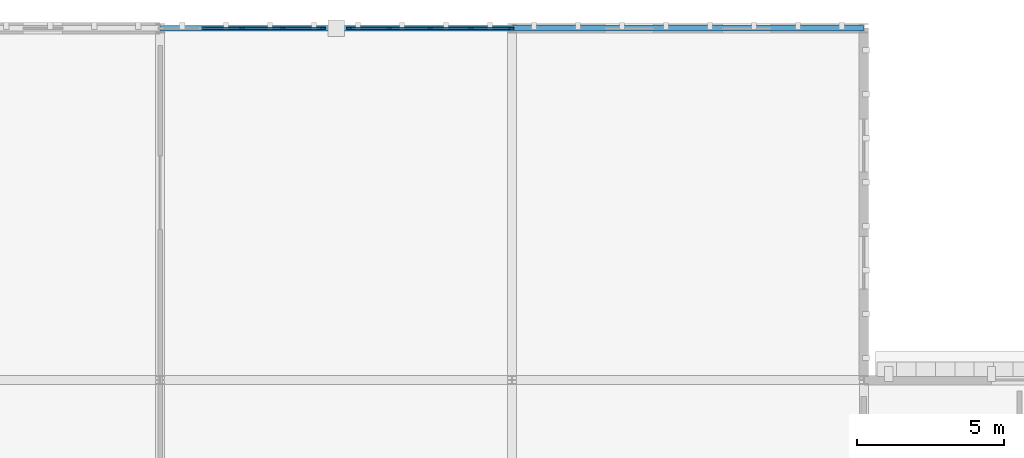
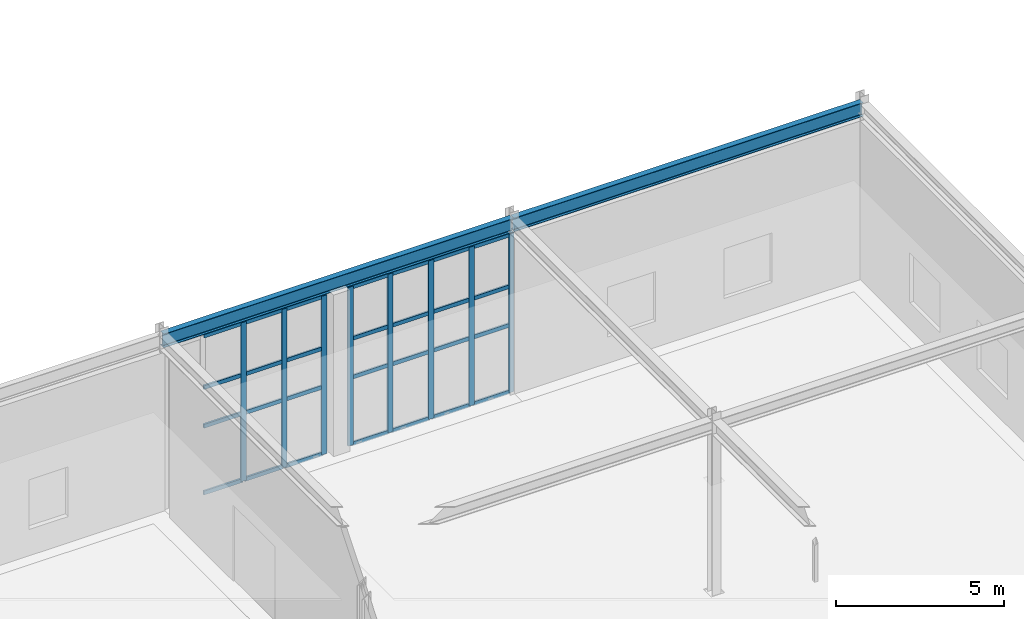
# One storey, part 25 of 62: 36 members, 2 beams, 2 elements without a shape of their own.
"""IFC4 building model written with IfcOpenShell, lengths in metres."""

from ifc_helpers import new_model, si_unit, direction, frame, origin, origin_2d, place, context, subcontext, project, spatial, rectangle, i_section, extrude, material, layer, layer_set, material_profile, profile_set, type_object, element, aggregate, save


model = new_model("IFC4")

# Units and contexts
model_context = context("Model", 3, precision=1e-05, world=origin(), true_north=direction((0.0, 1.0)))
body_context = subcontext(model_context, "Body", "Model", "MODEL_VIEW")
ifc_project = project(units=[si_unit("LENGTHUNIT", "METRE"), si_unit("AREAUNIT", "SQUARE_METRE"), si_unit("VOLUMEUNIT", "CUBIC_METRE"), si_unit("PLANEANGLEUNIT", "RADIAN"), si_unit("MASSUNIT", "GRAM", prefix="KILO")], contexts=[model_context])

# Site, building, storey
site_placement = place(None, origin())
site = spatial("IfcSite", under=ifc_project, at=site_placement, CompositionType="ELEMENT")
building_placement = place(site_placement, origin())
building = spatial("IfcBuilding", under=site, at=building_placement, Name="Zlatogorsky Bluff Art Gallery", CompositionType="ELEMENT")
storey_placement = place(building_placement, frame((0.0, 0.0, 16.800048828125)))
storey = spatial("IfcBuildingStorey", under=building, at=storey_placement, Name="L03", CompositionType="ELEMENT", Elevation=16.800048828125)

# Beams
ifc_material_1 = material(Name="Steel S355", Category="steel")
ifc_material_profile_1 = material_profile(ifc_material_1, i_section(OverallWidth=0.199951171875, OverallDepth=0.5, WebThickness=0.01025390625, FlangeThickness=0.01611328125, FilletRadius=0.02099609375, at=origin_2d()), Name="IPE 500")
ifc_profile_set_1 = profile_set([ifc_material_profile_1], Name="Steel S355")
beam_type = type_object("IfcBeamType", Name="Beam SP-01 IPE 500", PredefinedType="SPANDREL", material=ifc_profile_set_1)
for number, where, z_axis, x_axis, name in (
    (1, (96.014892578125, 120.0, 6.079833984375), (1.0, 0.0, 0.0), (0.0, 1.0, 0.0), "Primary girder SP-01 L03 J-K/12"),
    (2, (108.014892578125, 120.0, 6.079833984375), (1.0, 0.0, 0.0), (0.0, 1.0, 0.0), "Primary girder SP-01 L03 K-L/12"),
):
    element("IfcBeam", number, at=place(storey_placement, frame(where, z_axis=z_axis, x_axis=x_axis)), inside=storey, type_object=beam_type, Name=name, PredefinedType="SPANDREL", context=body_context, shape_type="SweptSolid", body=[
        extrude(i_section(OverallWidth=0.199951171875, OverallDepth=0.5, WebThickness=0.01025390625, FlangeThickness=0.01611328125, FilletRadius=0.02099609375, at=origin_2d()), origin(), (0.0, 0.0, 1.0), 11.97021484375),
    ])

# Curtain wall, members
ifc_material_2 = material(Name="Anodised Bronze Aluminium and Low-Iron Triple Glazing", Category="aluminium")
ifc_layer = layer(ifc_material_2, 0.199951171875)
ifc_layer_set = layer_set([ifc_layer], Name="Curtain Wall CW-02")
curtain_wall_type = type_object("IfcCurtainWallType", Name="Curtain Wall CW-02", PredefinedType="USERDEFINED", material=ifc_layer_set)
curtain_wall_1_placement = place(storey_placement, origin())
curtain_wall_1 = element("IfcCurtainWall", 3, at=curtain_wall_1_placement, inside=storey, type_object=curtain_wall_type, Name="Unitised curtain wall CW-02 L03 N 8.10-A", ObjectType="CURTAIN WALL", PredefinedType="USERDEFINED")
ifc_material_3 = material(Name="Anodised Bronze Aluminium", Category="aluminium")
ifc_material_profile_2 = material_profile(ifc_material_3, rectangle(XDim=0.06494140625, YDim=0.179931640625, at=origin_2d()), Name="ALU MULLION 65x180")
ifc_profile_set_2 = profile_set([ifc_material_profile_2], Name="Anodised Bronze Aluminium")
member_type_1 = type_object("IfcMemberType", Name="Curtain Mullion ML-01", PredefinedType="MULLION", material=ifc_profile_set_2)
member_1_placement = place(storey_placement, frame((107.967529296875, 120.0, 0.0), z_axis=(0.0, 0.0, 1.0), x_axis=(0.0, -1.0, 0.0)))
member_1 = element("IfcMember", 4, at=member_1_placement, type_object=member_type_1, Name="CW-02 mullion 1", PredefinedType="MULLION", context=body_context, shape_type="SweptSolid", body=[
    extrude(rectangle(XDim=0.06494140625, YDim=0.179931640625, at=origin_2d()), origin(), (0.0, 0.0, 1.0), 5.75),
])
member_2_placement = place(storey_placement, frame((106.60498046875, 120.0, 0.0), z_axis=(0.0, 0.0, 1.0), x_axis=(0.0, -1.0, 0.0)))
member_2 = element("IfcMember", 5, at=member_2_placement, type_object=member_type_1, Name="CW-02 mullion 2", PredefinedType="MULLION", context=body_context, shape_type="SweptSolid", body=[
    extrude(rectangle(XDim=0.06494140625, YDim=0.179931640625, at=origin_2d()), origin(), (0.0, 0.0, 1.0), 5.75),
])
member_3_placement = place(storey_placement, frame((105.2099609375, 120.0, 0.0), z_axis=(0.0, 0.0, 1.0), x_axis=(0.0, -1.0, 0.0)))
member_3 = element("IfcMember", 6, at=member_3_placement, type_object=member_type_1, Name="CW-02 mullion 3", PredefinedType="MULLION", context=body_context, shape_type="SweptSolid", body=[
    extrude(rectangle(XDim=0.06494140625, YDim=0.179931640625, at=origin_2d()), origin(), (0.0, 0.0, 1.0), 5.75),
])
member_4_placement = place(storey_placement, frame((103.81494140625, 120.0, 0.0), z_axis=(0.0, 0.0, 1.0), x_axis=(0.0, -1.0, 0.0)))
member_4 = element("IfcMember", 7, at=member_4_placement, type_object=member_type_1, Name="CW-02 mullion 4", PredefinedType="MULLION", context=body_context, shape_type="SweptSolid", body=[
    extrude(rectangle(XDim=0.06494140625, YDim=0.179931640625, at=origin_2d()), origin(), (0.0, 0.0, 1.0), 5.75),
])
member_5_placement = place(storey_placement, frame((102.452392578125, 120.0, 0.0), z_axis=(0.0, 0.0, 1.0), x_axis=(0.0, -1.0, 0.0)))
member_5 = element("IfcMember", 8, at=member_5_placement, type_object=member_type_1, Name="CW-02 mullion 5", PredefinedType="MULLION", context=body_context, shape_type="SweptSolid", body=[
    extrude(rectangle(XDim=0.06494140625, YDim=0.179931640625, at=origin_2d()), origin(), (0.0, 0.0, 1.0), 5.75),
])

curtain_wall_2_placement = place(storey_placement, origin())
curtain_wall_2 = element("IfcCurtainWall", 9, at=curtain_wall_2_placement, inside=storey, type_object=curtain_wall_type, Name="Unitised curtain wall CW-02 L03 N 8.10-B", ObjectType="CURTAIN WALL", PredefinedType="USERDEFINED")
member_6_placement = place(storey_placement, frame((101.547607421875, 120.0, 0.0), z_axis=(0.0, 0.0, 1.0), x_axis=(0.0, -1.0, 0.0)))
member_6 = element("IfcMember", 10, at=member_6_placement, type_object=member_type_1, Name="CW-02 mullion 1", PredefinedType="MULLION", context=body_context, shape_type="SweptSolid", body=[
    extrude(rectangle(XDim=0.06494140625, YDim=0.179931640625, at=origin_2d()), origin(), (0.0, 0.0, 1.0), 5.75),
])
member_7_placement = place(storey_placement, frame((100.18505859375, 120.0, 0.0), z_axis=(0.0, 0.0, 1.0), x_axis=(0.0, -1.0, 0.0)))
member_7 = element("IfcMember", 11, at=member_7_placement, type_object=member_type_1, Name="CW-02 mullion 2", PredefinedType="MULLION", context=body_context, shape_type="SweptSolid", body=[
    extrude(rectangle(XDim=0.06494140625, YDim=0.179931640625, at=origin_2d()), origin(), (0.0, 0.0, 1.0), 5.75),
])
member_8_placement = place(storey_placement, frame((98.7900390625, 120.0, 0.0), z_axis=(0.0, 0.0, 1.0), x_axis=(0.0, -1.0, 0.0)))
member_8 = element("IfcMember", 12, at=member_8_placement, type_object=member_type_1, Name="CW-02 mullion 3", PredefinedType="MULLION", context=body_context, shape_type="SweptSolid", body=[
    extrude(rectangle(XDim=0.06494140625, YDim=0.179931640625, at=origin_2d()), origin(), (0.0, 0.0, 1.0), 5.75),
])

# Member
ifc_material_profile_3 = material_profile(ifc_material_3, rectangle(XDim=0.06494140625, YDim=0.139892578125, at=origin_2d()), Name="ALU TRANSOM 65x140")
ifc_profile_set_3 = profile_set([ifc_material_profile_3], Name="Anodised Bronze Aluminium")
member_type_2 = type_object("IfcMemberType", Name="Curtain Transom TR-01", PredefinedType="USERDEFINED", material=ifc_profile_set_3)
member_9_placement = place(storey_placement, frame((107.93505859375, 120.0, 0.032470703125), z_axis=(-1.0, 0.0, 0.0), x_axis=(0.0, -1.0, 0.0)))
member_9 = element("IfcMember", 13, at=member_9_placement, type_object=member_type_2, Name="CW-02 transom 1.1", ObjectType="TRANSOM", PredefinedType="USERDEFINED", context=body_context, shape_type="SweptSolid", body=[
    extrude(rectangle(XDim=0.06494140625, YDim=0.139892578125, at=origin_2d()), origin(), (0.0, 0.0, 1.0), 1.297607421875),
])

member_10_placement = place(storey_placement, frame((107.93505859375, 120.0, 2.449951171875), z_axis=(-1.0, 0.0, 0.0), x_axis=(0.0, -1.0, 0.0)))
member_10 = element("IfcMember", 14, at=member_10_placement, type_object=member_type_2, Name="CW-02 transom 1.2", ObjectType="TRANSOM", PredefinedType="USERDEFINED", context=body_context, shape_type="SweptSolid", body=[
    extrude(rectangle(XDim=0.06494140625, YDim=0.139892578125, at=origin_2d()), origin(), (0.0, 0.0, 1.0), 1.297607421875),
])

member_11_placement = place(storey_placement, frame((107.93505859375, 120.0, 3.849853515625), z_axis=(-1.0, 0.0, 0.0), x_axis=(0.0, -1.0, 0.0)))
member_11 = element("IfcMember", 15, at=member_11_placement, type_object=member_type_2, Name="CW-02 transom 1.3", ObjectType="TRANSOM", PredefinedType="USERDEFINED", context=body_context, shape_type="SweptSolid", body=[
    extrude(rectangle(XDim=0.06494140625, YDim=0.139892578125, at=origin_2d()), origin(), (0.0, 0.0, 1.0), 1.297607421875),
])

member_12_placement = place(storey_placement, frame((107.93505859375, 120.0, 5.717529296875), z_axis=(-1.0, 0.0, 0.0), x_axis=(0.0, -1.0, 0.0)))
member_12 = element("IfcMember", 16, at=member_12_placement, type_object=member_type_2, Name="CW-02 transom 1.4", ObjectType="TRANSOM", PredefinedType="USERDEFINED", context=body_context, shape_type="SweptSolid", body=[
    extrude(rectangle(XDim=0.06494140625, YDim=0.139892578125, at=origin_2d()), origin(), (0.0, 0.0, 1.0), 1.297607421875),
])

member_13_placement = place(storey_placement, frame((106.572509765625, 120.0, 0.032470703125), z_axis=(-1.0, 0.0, 0.0), x_axis=(0.0, -1.0, 0.0)))
member_13 = element("IfcMember", 17, at=member_13_placement, type_object=member_type_2, Name="CW-02 transom 2.1", ObjectType="TRANSOM", PredefinedType="USERDEFINED", context=body_context, shape_type="SweptSolid", body=[
    extrude(rectangle(XDim=0.06494140625, YDim=0.139892578125, at=origin_2d()), origin(), (0.0, 0.0, 1.0), 1.330078125),
])

member_14_placement = place(storey_placement, frame((106.572509765625, 120.0, 2.449951171875), z_axis=(-1.0, 0.0, 0.0), x_axis=(0.0, -1.0, 0.0)))
member_14 = element("IfcMember", 18, at=member_14_placement, type_object=member_type_2, Name="CW-02 transom 2.2", ObjectType="TRANSOM", PredefinedType="USERDEFINED", context=body_context, shape_type="SweptSolid", body=[
    extrude(rectangle(XDim=0.06494140625, YDim=0.139892578125, at=origin_2d()), origin(), (0.0, 0.0, 1.0), 1.330078125),
])

member_15_placement = place(storey_placement, frame((106.572509765625, 120.0, 3.849853515625), z_axis=(-1.0, 0.0, 0.0), x_axis=(0.0, -1.0, 0.0)))
member_15 = element("IfcMember", 19, at=member_15_placement, type_object=member_type_2, Name="CW-02 transom 2.3", ObjectType="TRANSOM", PredefinedType="USERDEFINED", context=body_context, shape_type="SweptSolid", body=[
    extrude(rectangle(XDim=0.06494140625, YDim=0.139892578125, at=origin_2d()), origin(), (0.0, 0.0, 1.0), 1.330078125),
])

member_16_placement = place(storey_placement, frame((106.572509765625, 120.0, 5.717529296875), z_axis=(-1.0, 0.0, 0.0), x_axis=(0.0, -1.0, 0.0)))
member_16 = element("IfcMember", 20, at=member_16_placement, type_object=member_type_2, Name="CW-02 transom 2.4", ObjectType="TRANSOM", PredefinedType="USERDEFINED", context=body_context, shape_type="SweptSolid", body=[
    extrude(rectangle(XDim=0.06494140625, YDim=0.139892578125, at=origin_2d()), origin(), (0.0, 0.0, 1.0), 1.330078125),
])

member_17_placement = place(storey_placement, frame((105.177490234375, 120.0, 0.032470703125), z_axis=(-1.0, 0.0, 0.0), x_axis=(0.0, -1.0, 0.0)))
member_17 = element("IfcMember", 21, at=member_17_placement, type_object=member_type_2, Name="CW-02 transom 3.1", ObjectType="TRANSOM", PredefinedType="USERDEFINED", context=body_context, shape_type="SweptSolid", body=[
    extrude(rectangle(XDim=0.06494140625, YDim=0.139892578125, at=origin_2d()), origin(), (0.0, 0.0, 1.0), 1.330078125),
])

member_18_placement = place(storey_placement, frame((105.177490234375, 120.0, 2.449951171875), z_axis=(-1.0, 0.0, 0.0), x_axis=(0.0, -1.0, 0.0)))
member_18 = element("IfcMember", 22, at=member_18_placement, type_object=member_type_2, Name="CW-02 transom 3.2", ObjectType="TRANSOM", PredefinedType="USERDEFINED", context=body_context, shape_type="SweptSolid", body=[
    extrude(rectangle(XDim=0.06494140625, YDim=0.139892578125, at=origin_2d()), origin(), (0.0, 0.0, 1.0), 1.330078125),
])

member_19_placement = place(storey_placement, frame((105.177490234375, 120.0, 3.849853515625), z_axis=(-1.0, 0.0, 0.0), x_axis=(0.0, -1.0, 0.0)))
member_19 = element("IfcMember", 23, at=member_19_placement, type_object=member_type_2, Name="CW-02 transom 3.3", ObjectType="TRANSOM", PredefinedType="USERDEFINED", context=body_context, shape_type="SweptSolid", body=[
    extrude(rectangle(XDim=0.06494140625, YDim=0.139892578125, at=origin_2d()), origin(), (0.0, 0.0, 1.0), 1.330078125),
])

member_20_placement = place(storey_placement, frame((105.177490234375, 120.0, 5.717529296875), z_axis=(-1.0, 0.0, 0.0), x_axis=(0.0, -1.0, 0.0)))
member_20 = element("IfcMember", 24, at=member_20_placement, type_object=member_type_2, Name="CW-02 transom 3.4", ObjectType="TRANSOM", PredefinedType="USERDEFINED", context=body_context, shape_type="SweptSolid", body=[
    extrude(rectangle(XDim=0.06494140625, YDim=0.139892578125, at=origin_2d()), origin(), (0.0, 0.0, 1.0), 1.330078125),
])

member_21_placement = place(storey_placement, frame((103.782470703125, 120.0, 0.032470703125), z_axis=(-1.0, 0.0, 0.0), x_axis=(0.0, -1.0, 0.0)))
member_21 = element("IfcMember", 25, at=member_21_placement, type_object=member_type_2, Name="CW-02 transom 4.1", ObjectType="TRANSOM", PredefinedType="USERDEFINED", context=body_context, shape_type="SweptSolid", body=[
    extrude(rectangle(XDim=0.06494140625, YDim=0.139892578125, at=origin_2d()), origin(), (0.0, 0.0, 1.0), 1.29736328125),
])

member_22_placement = place(storey_placement, frame((103.782470703125, 120.0, 2.449951171875), z_axis=(-1.0, 0.0, 0.0), x_axis=(0.0, -1.0, 0.0)))
member_22 = element("IfcMember", 26, at=member_22_placement, type_object=member_type_2, Name="CW-02 transom 4.2", ObjectType="TRANSOM", PredefinedType="USERDEFINED", context=body_context, shape_type="SweptSolid", body=[
    extrude(rectangle(XDim=0.06494140625, YDim=0.139892578125, at=origin_2d()), origin(), (0.0, 0.0, 1.0), 1.29736328125),
])

member_23_placement = place(storey_placement, frame((103.782470703125, 120.0, 3.849853515625), z_axis=(-1.0, 0.0, 0.0), x_axis=(0.0, -1.0, 0.0)))
member_23 = element("IfcMember", 27, at=member_23_placement, type_object=member_type_2, Name="CW-02 transom 4.3", ObjectType="TRANSOM", PredefinedType="USERDEFINED", context=body_context, shape_type="SweptSolid", body=[
    extrude(rectangle(XDim=0.06494140625, YDim=0.139892578125, at=origin_2d()), origin(), (0.0, 0.0, 1.0), 1.29736328125),
])

member_24_placement = place(storey_placement, frame((103.782470703125, 120.0, 5.717529296875), z_axis=(-1.0, 0.0, 0.0), x_axis=(0.0, -1.0, 0.0)))
member_24 = element("IfcMember", 28, at=member_24_placement, type_object=member_type_2, Name="CW-02 transom 4.4", ObjectType="TRANSOM", PredefinedType="USERDEFINED", context=body_context, shape_type="SweptSolid", body=[
    extrude(rectangle(XDim=0.06494140625, YDim=0.139892578125, at=origin_2d()), origin(), (0.0, 0.0, 1.0), 1.29736328125),
])

aggregate(curtain_wall_1, [member_1, member_2, member_3, member_4, member_5, member_9, member_10, member_11, member_12, member_13, member_14, member_15, member_16, member_17, member_18, member_19, member_20, member_21, member_22, member_23, member_24])

member_25_placement = place(storey_placement, frame((101.514892578125, 120.0, 0.032470703125), z_axis=(-1.0, 0.0, 0.0), x_axis=(0.0, -1.0, 0.0)))
member_25 = element("IfcMember", 29, at=member_25_placement, type_object=member_type_2, Name="CW-02 transom 1.1", ObjectType="TRANSOM", PredefinedType="USERDEFINED", context=body_context, shape_type="SweptSolid", body=[
    extrude(rectangle(XDim=0.06494140625, YDim=0.139892578125, at=origin_2d()), origin(), (0.0, 0.0, 1.0), 1.29736328125),
])

member_26_placement = place(storey_placement, frame((101.514892578125, 120.0, 2.449951171875), z_axis=(-1.0, 0.0, 0.0), x_axis=(0.0, -1.0, 0.0)))
member_26 = element("IfcMember", 30, at=member_26_placement, type_object=member_type_2, Name="CW-02 transom 1.2", ObjectType="TRANSOM", PredefinedType="USERDEFINED", context=body_context, shape_type="SweptSolid", body=[
    extrude(rectangle(XDim=0.06494140625, YDim=0.139892578125, at=origin_2d()), origin(), (0.0, 0.0, 1.0), 1.29736328125),
])

member_27_placement = place(storey_placement, frame((101.514892578125, 120.0, 3.849853515625), z_axis=(-1.0, 0.0, 0.0), x_axis=(0.0, -1.0, 0.0)))
member_27 = element("IfcMember", 31, at=member_27_placement, type_object=member_type_2, Name="CW-02 transom 1.3", ObjectType="TRANSOM", PredefinedType="USERDEFINED", context=body_context, shape_type="SweptSolid", body=[
    extrude(rectangle(XDim=0.06494140625, YDim=0.139892578125, at=origin_2d()), origin(), (0.0, 0.0, 1.0), 1.29736328125),
])

member_28_placement = place(storey_placement, frame((101.514892578125, 120.0, 5.717529296875), z_axis=(-1.0, 0.0, 0.0), x_axis=(0.0, -1.0, 0.0)))
member_28 = element("IfcMember", 32, at=member_28_placement, type_object=member_type_2, Name="CW-02 transom 1.4", ObjectType="TRANSOM", PredefinedType="USERDEFINED", context=body_context, shape_type="SweptSolid", body=[
    extrude(rectangle(XDim=0.06494140625, YDim=0.139892578125, at=origin_2d()), origin(), (0.0, 0.0, 1.0), 1.29736328125),
])

member_29_placement = place(storey_placement, frame((100.152587890625, 120.0, 0.032470703125), z_axis=(-1.0, 0.0, 0.0), x_axis=(0.0, -1.0, 0.0)))
member_29 = element("IfcMember", 33, at=member_29_placement, type_object=member_type_2, Name="CW-02 transom 2.1", ObjectType="TRANSOM", PredefinedType="USERDEFINED", context=body_context, shape_type="SweptSolid", body=[
    extrude(rectangle(XDim=0.06494140625, YDim=0.139892578125, at=origin_2d()), origin(), (0.0, 0.0, 1.0), 1.330078125),
])

member_30_placement = place(storey_placement, frame((100.152587890625, 120.0, 2.449951171875), z_axis=(-1.0, 0.0, 0.0), x_axis=(0.0, -1.0, 0.0)))
member_30 = element("IfcMember", 34, at=member_30_placement, type_object=member_type_2, Name="CW-02 transom 2.2", ObjectType="TRANSOM", PredefinedType="USERDEFINED", context=body_context, shape_type="SweptSolid", body=[
    extrude(rectangle(XDim=0.06494140625, YDim=0.139892578125, at=origin_2d()), origin(), (0.0, 0.0, 1.0), 1.330078125),
])

member_31_placement = place(storey_placement, frame((100.152587890625, 120.0, 3.849853515625), z_axis=(-1.0, 0.0, 0.0), x_axis=(0.0, -1.0, 0.0)))
member_31 = element("IfcMember", 35, at=member_31_placement, type_object=member_type_2, Name="CW-02 transom 2.3", ObjectType="TRANSOM", PredefinedType="USERDEFINED", context=body_context, shape_type="SweptSolid", body=[
    extrude(rectangle(XDim=0.06494140625, YDim=0.139892578125, at=origin_2d()), origin(), (0.0, 0.0, 1.0), 1.330078125),
])

member_32_placement = place(storey_placement, frame((100.152587890625, 120.0, 5.717529296875), z_axis=(-1.0, 0.0, 0.0), x_axis=(0.0, -1.0, 0.0)))
member_32 = element("IfcMember", 36, at=member_32_placement, type_object=member_type_2, Name="CW-02 transom 2.4", ObjectType="TRANSOM", PredefinedType="USERDEFINED", context=body_context, shape_type="SweptSolid", body=[
    extrude(rectangle(XDim=0.06494140625, YDim=0.139892578125, at=origin_2d()), origin(), (0.0, 0.0, 1.0), 1.330078125),
])

member_33_placement = place(storey_placement, frame((98.757568359375, 120.0, 0.032470703125), z_axis=(-1.0, 0.0, 0.0), x_axis=(0.0, -1.0, 0.0)))
member_33 = element("IfcMember", 37, at=member_33_placement, type_object=member_type_2, Name="CW-02 transom 3.1", ObjectType="TRANSOM", PredefinedType="USERDEFINED", context=body_context, shape_type="SweptSolid", body=[
    extrude(rectangle(XDim=0.06494140625, YDim=0.139892578125, at=origin_2d()), origin(), (0.0, 0.0, 1.0), 1.330078125),
])

member_34_placement = place(storey_placement, frame((98.757568359375, 120.0, 2.449951171875), z_axis=(-1.0, 0.0, 0.0), x_axis=(0.0, -1.0, 0.0)))
member_34 = element("IfcMember", 38, at=member_34_placement, type_object=member_type_2, Name="CW-02 transom 3.2", ObjectType="TRANSOM", PredefinedType="USERDEFINED", context=body_context, shape_type="SweptSolid", body=[
    extrude(rectangle(XDim=0.06494140625, YDim=0.139892578125, at=origin_2d()), origin(), (0.0, 0.0, 1.0), 1.330078125),
])

member_35_placement = place(storey_placement, frame((98.757568359375, 120.0, 3.849853515625), z_axis=(-1.0, 0.0, 0.0), x_axis=(0.0, -1.0, 0.0)))
member_35 = element("IfcMember", 39, at=member_35_placement, type_object=member_type_2, Name="CW-02 transom 3.3", ObjectType="TRANSOM", PredefinedType="USERDEFINED", context=body_context, shape_type="SweptSolid", body=[
    extrude(rectangle(XDim=0.06494140625, YDim=0.139892578125, at=origin_2d()), origin(), (0.0, 0.0, 1.0), 1.330078125),
])

member_36_placement = place(storey_placement, frame((98.757568359375, 120.0, 5.717529296875), z_axis=(-1.0, 0.0, 0.0), x_axis=(0.0, -1.0, 0.0)))
member_36 = element("IfcMember", 40, at=member_36_placement, type_object=member_type_2, Name="CW-02 transom 3.4", ObjectType="TRANSOM", PredefinedType="USERDEFINED", context=body_context, shape_type="SweptSolid", body=[
    extrude(rectangle(XDim=0.06494140625, YDim=0.139892578125, at=origin_2d()), origin(), (0.0, 0.0, 1.0), 1.330078125),
])

aggregate(curtain_wall_2, [member_6, member_7, member_8, member_25, member_26, member_27, member_28, member_29, member_30, member_31, member_32, member_33, member_34, member_35, member_36])

save(model, "model.ifc")
